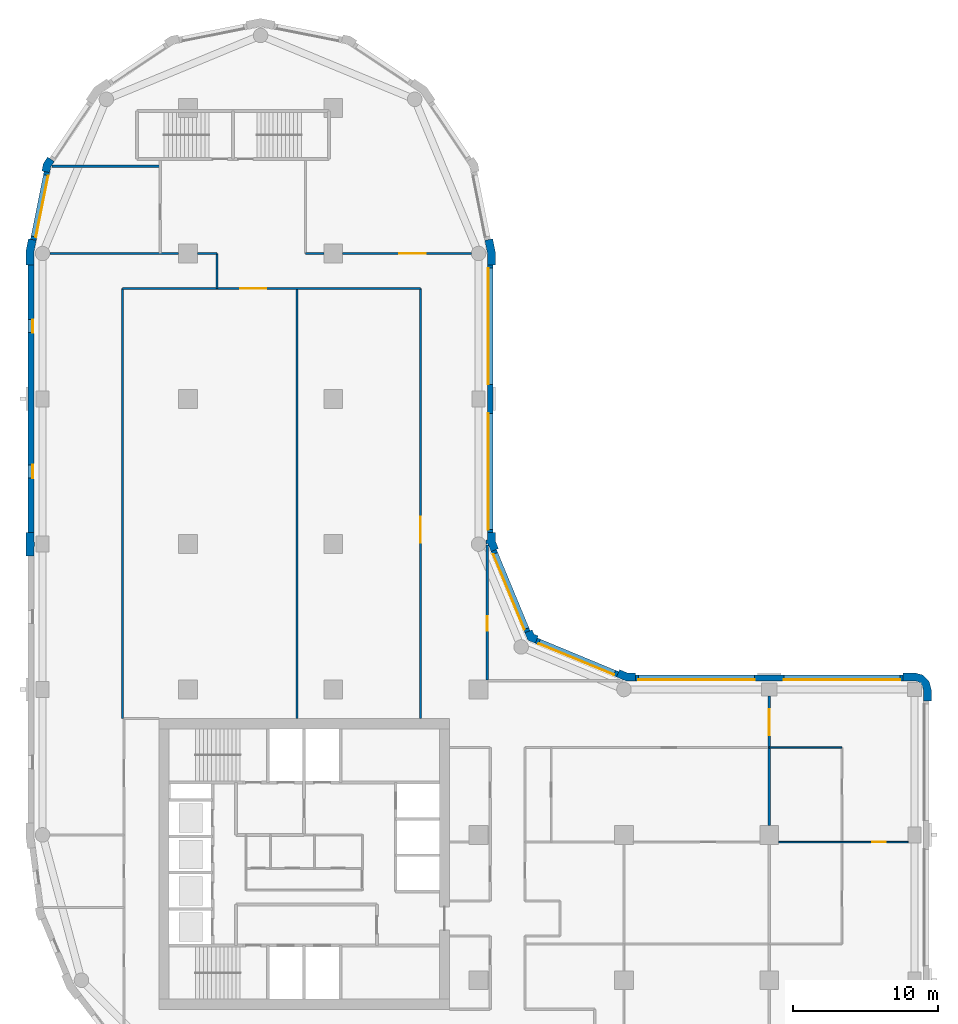
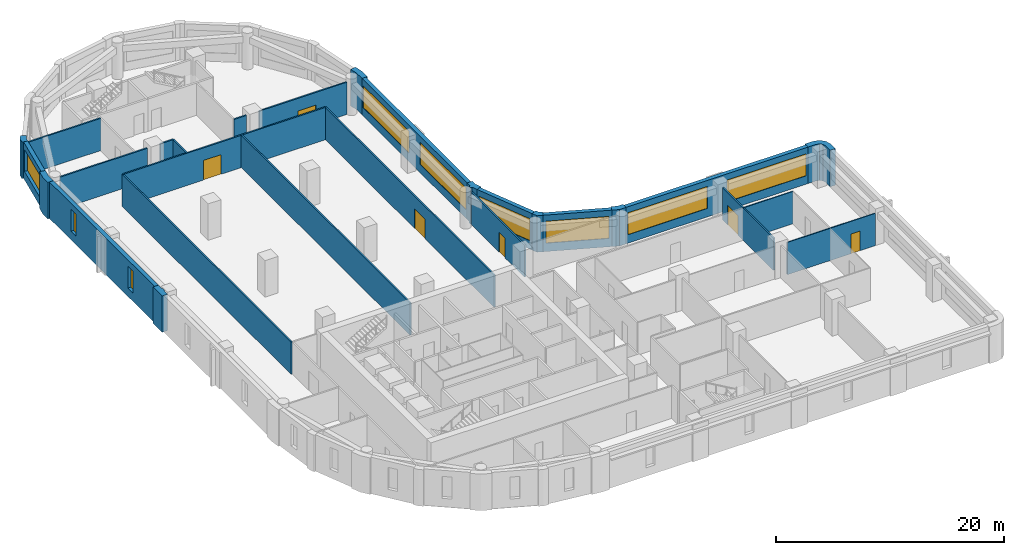
# One storey, part 5 of 9: 28 walls, 9 windows, 6 doors, 15 openings.
"""IFC4 building model written with IfcOpenShell, lengths in metres."""

from ifc_helpers import new_model, si_unit, direction, frame, frame_2d, origin, place, context, subcontext, project, spatial, polyline, rectangle, outline, extrude, material, layer, layer_set, type_object, element, fill, save


model = new_model("IFC4")

# Units and contexts
model_context = context("Model", 3, precision=1e-05, world=origin(), true_north=direction((0.0, 1.0)))
body_context = subcontext(model_context, "Body", "Model", "MODEL_VIEW")
ifc_project = project(units=[si_unit("LENGTHUNIT", "METRE"), si_unit("AREAUNIT", "SQUARE_METRE"), si_unit("VOLUMEUNIT", "CUBIC_METRE"), si_unit("PLANEANGLEUNIT", "RADIAN"), si_unit("MASSUNIT", "GRAM", prefix="KILO")], contexts=[model_context])

# Site, building, storey
site_placement = place(None, origin())
site = spatial("IfcSite", under=ifc_project, at=site_placement, CompositionType="ELEMENT")
building_placement = place(site_placement, origin())
building = spatial("IfcBuilding", under=site, at=building_placement, Name="Qaws Garden Tower", CompositionType="ELEMENT")
storey_placement = place(building_placement, frame((0.0, 0.0, 233.10009765625)))
storey = spatial("IfcBuildingStorey", under=building, at=storey_placement, Name="L57", CompositionType="ELEMENT", Elevation=233.10009765625)

# Wall
ifc_material_1 = material(Name="Buff clay facing brick masonry", Category="masonry")
ifc_layer_1 = layer(ifc_material_1, 0.550048828125)
ifc_layer_set_1 = layer_set([ifc_layer_1], Name="Buff clay facing brick masonry")
wall_type_1 = type_object("IfcWallType", Name="Buff brick corner pier 550 x 2400", PredefinedType="SOLIDWALL", material=ifc_layer_set_1)
placement = place(storey_placement, origin())
element("IfcWall", 1, at=placement, inside=storey, type_object=wall_type_1, Name="E-L57-pier-07", PredefinedType="SOLIDWALL", context=body_context, shape_type="SweptSolid", body=[
    extrude(outline(polyline([(61.0, 29.199951171875), (61.14990234375, 29.199951171875), (61.14990234375, 30.0), (60.995849609375, 30.574951171875), (60.574951171875, 30.995849609375), (60.0, 31.14990234375), (59.199951171875, 31.14990234375), (59.199951171875, 31.0), (59.199951171875, 30.60009765625), (60.0, 30.60009765625), (60.300048828125, 30.51953125), (60.51953125, 30.300048828125), (60.60009765625, 30.0), (60.60009765625, 29.199951171875), (61.0, 29.199951171875)])), origin(), (0.0, 0.0, 1.0), 3.89990234375),
])

# Wall, openings, windows
ifc_material_2 = material(Name="Buff clay facing brick masonry", Category="masonry")
ifc_layer_2 = layer(ifc_material_2, 0.39990234375)
ifc_layer_set_2 = layer_set([ifc_layer_2], Name="Buff clay facing brick masonry")
wall_type_2 = type_object("IfcWallType", Name="Buff brick infill wall 400", PredefinedType="SOLIDWALL", material=ifc_layer_set_2)
wall_2_placement = place(storey_placement, frame((59.199951171875, 30.800048828125, 0.0), z_axis=(0.0, 0.0, 1.0), x_axis=(-1.0, 0.0, 0.0)))
wall_2 = element("IfcWall", 2, at=wall_2_placement, inside=storey, type_object=wall_type_2, Name="E-L57-infill-07", PredefinedType="SOLIDWALL", context=body_context, shape_type="SweptSolid", body=[
    extrude(rectangle(XDim=18.39990234375, YDim=0.39990234375, at=frame_2d((9.199951171875, 0.0))), origin(), (0.0, 0.0, 1.0), 3.89990234375),
])
opening_1_placement = place(wall_2_placement, frame((0.199951171875, 0.0, 0.89990234375)))
opening_1 = element("IfcOpeningElement", 3, at=opening_1_placement, cuts=wall_2, Name="Opening W01", PredefinedType="OPENING", context=body_context, shape_type="SweptSolid", body=[
    extrude(rectangle(XDim=8.0, YDim=2.35009765625, at=frame_2d((4.0, 1.175048828125))), frame((0.0, 0.2099609375, 0.0), z_axis=(0.0, -1.0, 0.0), x_axis=(1.0, 0.0, 0.0)), (0.0, 0.0, 1.0), 0.419921875),
])
opening_2_placement = place(wall_2_placement, frame((10.199951171875, 0.0, 0.89990234375)))
opening_2 = element("IfcOpeningElement", 4, at=opening_2_placement, cuts=wall_2, Name="Opening W01", PredefinedType="OPENING", context=body_context, shape_type="SweptSolid", body=[
    extrude(rectangle(XDim=8.0, YDim=2.35009765625, at=frame_2d((4.0, 1.175048828125))), frame((0.0, 0.2099609375, 0.0), z_axis=(0.0, -1.0, 0.0), x_axis=(1.0, 0.0, 0.0)), (0.0, 0.0, 1.0), 0.419921875),
])
ifc_material_3 = material(Name="Aluminium framed window, clear glazing", Category="aluminium")
window_type_1 = type_object("IfcWindowType", Name="Ribbon window 8000 x 2350", PartitioningType="DOUBLE_PANEL_VERTICAL", PredefinedType="WINDOW", material=ifc_material_3)
window_1_placement = place(opening_1_placement, origin())
window_1 = element("IfcWindow", 5, at=window_1_placement, inside=storey, type_object=window_type_1, Name="E-L57-window-07-0", OverallHeight=2.35009765625, OverallWidth=8.0, PartitioningType="SINGLE_PANEL", PredefinedType="WINDOW", context=body_context, shape_type="SweptSolid", body=[
    extrude(rectangle(XDim=8.0, YDim=2.35009765625, at=frame_2d((4.0, 1.175048828125))), frame((0.0, 0.159912109375, 0.0), z_axis=(0.0, -1.0, 0.0), x_axis=(1.0, 0.0, 0.0)), (0.0, 0.0, 1.0), 0.06005859375),
])
fill(opening_1, window_1)
window_2_placement = place(opening_2_placement, origin())
window_2 = element("IfcWindow", 6, at=window_2_placement, inside=storey, type_object=window_type_1, Name="E-L57-window-08-0", OverallHeight=2.35009765625, OverallWidth=8.0, PartitioningType="SINGLE_PANEL", PredefinedType="WINDOW", context=body_context, shape_type="SweptSolid", body=[
    extrude(rectangle(XDim=8.0, YDim=2.35009765625, at=frame_2d((4.0, 1.175048828125))), frame((0.0, 0.159912109375, 0.0), z_axis=(0.0, -1.0, 0.0), x_axis=(1.0, 0.0, 0.0)), (0.0, 0.0, 1.0), 0.06005859375),
])
fill(opening_2, window_2)

# Wall, opening, window
wall_3_placement = place(storey_placement, frame((39.56689453125, 31.04541015625, 0.0), z_axis=(0.0, 0.0, 1.0), x_axis=(-0.923891000409, 0.382655745237, 0.0)))
wall_3 = element("IfcWall", 7, at=wall_3_placement, inside=storey, type_object=wall_type_2, Name="E-L57-infill-09", PredefinedType="SOLIDWALL", context=body_context, shape_type="SweptSolid", body=[
    extrude(rectangle(XDim=6.053466796875, YDim=0.39990234375, at=frame_2d((3.02685546875, 0.0))), origin(), (0.0, 0.0, 1.0), 3.89990234375),
])
opening_3_placement = place(wall_3_placement, frame((0.226806640625, 0.0, 0.89990234375)))
opening_3 = element("IfcOpeningElement", 8, at=opening_3_placement, cuts=wall_3, Name="Opening W04", PredefinedType="OPENING", context=body_context, shape_type="SweptSolid", body=[
    extrude(rectangle(XDim=5.60009765625, YDim=2.35009765625, at=frame_2d((2.800048828125, 1.175048828125))), frame((0.0, 0.2099609375, 0.0), z_axis=(0.0, -1.0, 0.0), x_axis=(1.0, 0.0, 0.0)), (0.0, 0.0, 1.0), 0.419921875),
])
ifc_material_4 = material(Name="Aluminium framed window, clear glazing", Category="aluminium")
window_type_2 = type_object("IfcWindowType", Name="Ribbon window 5600 x 2350", PartitioningType="DOUBLE_PANEL_VERTICAL", PredefinedType="WINDOW", material=ifc_material_4)
window_3_placement = place(opening_3_placement, origin())
window_3 = element("IfcWindow", 9, at=window_3_placement, inside=storey, type_object=window_type_2, Name="E-L57-window-09-0", OverallHeight=2.35009765625, OverallWidth=5.60009765625, PartitioningType="SINGLE_PANEL", PredefinedType="WINDOW", context=body_context, shape_type="SweptSolid", body=[
    extrude(rectangle(XDim=5.60009765625, YDim=2.35009765625, at=frame_2d((2.800048828125, 1.175048828125))), frame((0.0, 0.159912109375, 0.0), z_axis=(0.0, -1.0, 0.0), x_axis=(1.0, 0.0, 0.0)), (0.0, 0.0, 1.0), 0.06005859375),
])
fill(opening_3, window_3)

wall_4_placement = place(storey_placement, frame((33.36181640625, 33.97412109375, 0.0), z_axis=(0.0, 0.0, 1.0), x_axis=(-0.382655745237, 0.923891000409, 0.0)))
wall_4 = element("IfcWall", 10, at=wall_4_placement, inside=storey, type_object=wall_type_2, Name="E-L57-infill-10", PredefinedType="SOLIDWALL", context=body_context, shape_type="SweptSolid", body=[
    extrude(rectangle(XDim=6.053466796875, YDim=0.39990234375, at=frame_2d((3.02685546875, 0.0))), origin(), (0.0, 0.0, 1.0), 3.89990234375),
])
opening_4_placement = place(wall_4_placement, frame((0.226806640625, 0.0, 0.89990234375)))
opening_4 = element("IfcOpeningElement", 11, at=opening_4_placement, cuts=wall_4, Name="Opening W04", PredefinedType="OPENING", context=body_context, shape_type="SweptSolid", body=[
    extrude(rectangle(XDim=5.60009765625, YDim=2.35009765625, at=frame_2d((2.800048828125, 1.175048828125))), frame((0.0, 0.2099609375, 0.0), z_axis=(0.0, -1.0, 0.0), x_axis=(1.0, 0.0, 0.0)), (0.0, 0.0, 1.0), 0.419921875),
])
window_4_placement = place(opening_4_placement, origin())
window_4 = element("IfcWindow", 12, at=window_4_placement, inside=storey, type_object=window_type_2, Name="E-L57-window-10-0", OverallHeight=2.35009765625, OverallWidth=5.60009765625, PartitioningType="SINGLE_PANEL", PredefinedType="WINDOW", context=body_context, shape_type="SweptSolid", body=[
    extrude(rectangle(XDim=5.60009765625, YDim=2.35009765625, at=frame_2d((2.800048828125, 1.175048828125))), frame((0.0, 0.159912109375, 0.0), z_axis=(0.0, -1.0, 0.0), x_axis=(1.0, 0.0, 0.0)), (0.0, 0.0, 1.0), 0.06005859375),
])
fill(opening_4, window_4)

# Wall, openings, windows
wall_5_placement = place(storey_placement, frame((30.800048828125, 40.800048828125, 0.0), z_axis=(0.0, 0.0, 1.0), x_axis=(0.0, 1.0, 0.0)))
wall_5 = element("IfcWall", 13, at=wall_5_placement, inside=storey, type_object=wall_type_2, Name="E-L57-infill-11", PredefinedType="SOLIDWALL", context=body_context, shape_type="SweptSolid", body=[
    extrude(rectangle(XDim=18.39990234375, YDim=0.39990234375, at=frame_2d((9.199951171875, 0.0))), origin(), (0.0, 0.0, 1.0), 3.89990234375),
])
opening_5_placement = place(wall_5_placement, frame((0.199951171875, 0.0, 0.89990234375)))
opening_5 = element("IfcOpeningElement", 14, at=opening_5_placement, cuts=wall_5, Name="Opening W01", PredefinedType="OPENING", context=body_context, shape_type="SweptSolid", body=[
    extrude(rectangle(XDim=8.0, YDim=2.35009765625, at=frame_2d((4.0, 1.175048828125))), frame((0.0, 0.2099609375, 0.0), z_axis=(0.0, -1.0, 0.0), x_axis=(1.0, 0.0, 0.0)), (0.0, 0.0, 1.0), 0.419921875),
])
opening_6_placement = place(wall_5_placement, frame((10.199951171875, 0.0, 0.89990234375)))
opening_6 = element("IfcOpeningElement", 15, at=opening_6_placement, cuts=wall_5, Name="Opening W01", PredefinedType="OPENING", context=body_context, shape_type="SweptSolid", body=[
    extrude(rectangle(XDim=8.0, YDim=2.35009765625, at=frame_2d((4.0, 1.175048828125))), frame((0.0, 0.2099609375, 0.0), z_axis=(0.0, -1.0, 0.0), x_axis=(1.0, 0.0, 0.0)), (0.0, 0.0, 1.0), 0.419921875),
])
window_5_placement = place(opening_5_placement, origin())
window_5 = element("IfcWindow", 16, at=window_5_placement, inside=storey, type_object=window_type_1, Name="E-L57-window-11-0", OverallHeight=2.35009765625, OverallWidth=8.0, PartitioningType="SINGLE_PANEL", PredefinedType="WINDOW", context=body_context, shape_type="SweptSolid", body=[
    extrude(rectangle(XDim=8.0, YDim=2.35009765625, at=frame_2d((4.0, 1.175048828125))), frame((0.0, 0.159912109375, 0.0), z_axis=(0.0, -1.0, 0.0), x_axis=(1.0, 0.0, 0.0)), (0.0, 0.0, 1.0), 0.06005859375),
])
fill(opening_5, window_5)
window_6_placement = place(opening_6_placement, origin())
window_6 = element("IfcWindow", 17, at=window_6_placement, inside=storey, type_object=window_type_1, Name="E-L57-window-12-0", OverallHeight=2.35009765625, OverallWidth=8.0, PartitioningType="SINGLE_PANEL", PredefinedType="WINDOW", context=body_context, shape_type="SweptSolid", body=[
    extrude(rectangle(XDim=8.0, YDim=2.35009765625, at=frame_2d((4.0, 1.175048828125))), frame((0.0, 0.159912109375, 0.0), z_axis=(0.0, -1.0, 0.0), x_axis=(1.0, 0.0, 0.0)), (0.0, 0.0, 1.0), 0.06005859375),
])
fill(opening_6, window_6)

# Wall, opening, window
wall_6_placement = place(storey_placement, frame((0.298583984375, 65.60205078125, 0.0), z_axis=(0.0, 0.0, 1.0), x_axis=(-0.195098533057, -0.98078364709, 0.0)))
wall_6 = element("IfcWall", 18, at=wall_6_placement, inside=storey, type_object=wall_type_2, Name="E-L57-infill-20", PredefinedType="SOLIDWALL", context=body_context, shape_type="SweptSolid", body=[
    extrude(rectangle(XDim=4.752685546875, YDim=0.39990234375, at=frame_2d((2.37646484375, 0.0))), origin(), (0.0, 0.0, 1.0), 3.89990234375),
])
opening_7_placement = place(wall_6_placement, frame((0.226318359375, 0.0, 0.89990234375)))
opening_7 = element("IfcOpeningElement", 19, at=opening_7_placement, cuts=wall_6, Name="Opening W06", PredefinedType="OPENING", context=body_context, shape_type="SweptSolid", body=[
    extrude(rectangle(XDim=4.300048828125, YDim=2.35009765625, at=frame_2d((2.14990234375, 1.175048828125))), frame((0.0, 0.2099609375, 0.0), z_axis=(0.0, -1.0, 0.0), x_axis=(1.0, 0.0, 0.0)), (0.0, 0.0, 1.0), 0.419921875),
])
ifc_material_5 = material(Name="Aluminium framed window, clear glazing", Category="aluminium")
window_type_3 = type_object("IfcWindowType", Name="Ribbon window 4300 x 2350", PartitioningType="DOUBLE_PANEL_VERTICAL", PredefinedType="WINDOW", material=ifc_material_5)
window_7_placement = place(opening_7_placement, origin())
window_7 = element("IfcWindow", 20, at=window_7_placement, inside=storey, type_object=window_type_3, Name="E-L57-window-20-0", OverallHeight=2.35009765625, OverallWidth=4.300048828125, PartitioningType="SINGLE_PANEL", PredefinedType="WINDOW", context=body_context, shape_type="SweptSolid", body=[
    extrude(rectangle(XDim=4.300048828125, YDim=2.35009765625, at=frame_2d((2.14990234375, 1.175048828125))), frame((0.0, 0.159912109375, 0.0), z_axis=(0.0, -1.0, 0.0), x_axis=(1.0, 0.0, 0.0)), (0.0, 0.0, 1.0), 0.06005859375),
])
fill(opening_7, window_7)

# Wall, openings, windows
wall_7_placement = place(storey_placement, frame((-0.800048828125, 59.199951171875, 0.0), z_axis=(0.0, 0.0, 1.0), x_axis=(0.0, -1.0, 0.0)))
wall_7 = element("IfcWall", 21, at=wall_7_placement, inside=storey, type_object=wall_type_2, Name="E-L57-infill-21", PredefinedType="SOLIDWALL", context=body_context, shape_type="SweptSolid", body=[
    extrude(rectangle(XDim=18.39990234375, YDim=0.39990234375, at=frame_2d((9.199951171875, 0.0))), origin(), (0.0, 0.0, 1.0), 3.89990234375),
])
opening_8_placement = place(wall_7_placement, frame((3.75, 0.0, 0.89990234375)))
opening_8 = element("IfcOpeningElement", 22, at=opening_8_placement, cuts=wall_7, Name="Opening W09", PredefinedType="OPENING", context=body_context, shape_type="SweptSolid", body=[
    extrude(rectangle(XDim=0.89990234375, YDim=2.35009765625, at=frame_2d((0.449951171875, 1.175048828125))), frame((0.0, 0.2099609375, 0.0), z_axis=(0.0, -1.0, 0.0), x_axis=(1.0, 0.0, 0.0)), (0.0, 0.0, 1.0), 0.419921875),
])
opening_9_placement = place(wall_7_placement, frame((13.75, 0.0, 0.89990234375)))
opening_9 = element("IfcOpeningElement", 23, at=opening_9_placement, cuts=wall_7, Name="Opening W09", PredefinedType="OPENING", context=body_context, shape_type="SweptSolid", body=[
    extrude(rectangle(XDim=0.89990234375, YDim=2.35009765625, at=frame_2d((0.449951171875, 1.175048828125))), frame((0.0, 0.2099609375, 0.0), z_axis=(0.0, -1.0, 0.0), x_axis=(1.0, 0.0, 0.0)), (0.0, 0.0, 1.0), 0.419921875),
])
ifc_material_6 = material(Name="Aluminium framed window, clear glazing", Category="aluminium")
window_type_4 = type_object("IfcWindowType", Name="Slit window 900 x 2350", PartitioningType="SINGLE_PANEL", PredefinedType="WINDOW", material=ifc_material_6)
window_8_placement = place(opening_8_placement, origin())
window_8 = element("IfcWindow", 24, at=window_8_placement, inside=storey, type_object=window_type_4, Name="E-L57-window-21-0", OverallHeight=2.35009765625, OverallWidth=0.89990234375, PartitioningType="SINGLE_PANEL", PredefinedType="WINDOW", context=body_context, shape_type="SweptSolid", body=[
    extrude(rectangle(XDim=0.89990234375, YDim=2.35009765625, at=frame_2d((0.449951171875, 1.175048828125))), frame((0.0, 0.159912109375, 0.0), z_axis=(0.0, -1.0, 0.0), x_axis=(1.0, 0.0, 0.0)), (0.0, 0.0, 1.0), 0.06005859375),
])
fill(opening_8, window_8)
window_9_placement = place(opening_9_placement, origin())
window_9 = element("IfcWindow", 25, at=window_9_placement, inside=storey, type_object=window_type_4, Name="E-L57-window-22-0", OverallHeight=2.35009765625, OverallWidth=0.89990234375, PartitioningType="SINGLE_PANEL", PredefinedType="WINDOW", context=body_context, shape_type="SweptSolid", body=[
    extrude(rectangle(XDim=0.89990234375, YDim=2.35009765625, at=frame_2d((0.449951171875, 1.175048828125))), frame((0.0, 0.159912109375, 0.0), z_axis=(0.0, -1.0, 0.0), x_axis=(1.0, 0.0, 0.0)), (0.0, 0.0, 1.0), 0.06005859375),
])
fill(opening_9, window_9)

# Walls
ifc_material_7 = material(Name="Buff clay facing brick masonry", Category="masonry")
ifc_layer_3 = layer(ifc_material_7, 0.550048828125)
ifc_layer_set_3 = layer_set([ifc_layer_3], Name="Buff clay facing brick masonry")
wall_type_3 = type_object("IfcWallType", Name="Buff brick kink pier 550 x 600", PredefinedType="SOLIDWALL", material=ifc_layer_set_3)
element("IfcWall", 26, at=placement, inside=storey, type_object=wall_type_3, Name="E-L57-pier-20", PredefinedType="SOLIDWALL", context=body_context, shape_type="SweptSolid", body=[
    extrude(outline(polyline([(0.47705078125, 66.545166015625), (0.352294921875, 66.628662109375), (0.05859375, 66.18896484375), (-0.044677734375, 65.67041015625), (0.1025390625, 65.64111328125), (0.494873046875, 65.56298828125), (0.57666015625, 65.974365234375), (0.8095703125, 66.322998046875), (0.47705078125, 66.545166015625)])), origin(), (0.0, 0.0, 1.0), 3.89990234375),
])
ifc_material_8 = material(Name="Buff clay facing brick masonry", Category="masonry")
ifc_layer_4 = layer(ifc_material_8, 0.550048828125)
ifc_layer_set_4 = layer_set([ifc_layer_4], Name="Buff clay facing brick masonry")
wall_type_4 = type_object("IfcWallType", Name="Buff brick pier 550 x 1600", PredefinedType="SOLIDWALL", material=ifc_layer_set_4)
element("IfcWall", 27, at=placement, inside=storey, type_object=wall_type_4, Name="E-L57-pier-09", PredefinedType="SOLIDWALL", context=body_context, shape_type="SweptSolid", body=[
    extrude(outline(polyline([(40.800048828125, 31.0), (40.800048828125, 31.14990234375), (40.228759765625, 31.14990234375), (39.700927734375, 31.36865234375), (39.6435546875, 31.22998046875), (39.490478515625, 30.860595703125), (40.119384765625, 30.60009765625), (40.800048828125, 30.60009765625), (40.800048828125, 31.0)])), origin(), (0.0, 0.0, 1.0), 3.89990234375),
])
element("IfcWall", 28, at=placement, inside=storey, type_object=wall_type_4, Name="E-L57-pier-10", PredefinedType="SOLIDWALL", context=body_context, shape_type="SweptSolid", body=[
    extrude(outline(polyline([(34.05078125, 33.546630859375), (34.108154296875, 33.685302734375), (33.80908203125, 33.80908203125), (33.685302734375, 34.108154296875), (33.546630859375, 34.05078125), (33.177001953125, 33.897705078125), (33.38818359375, 33.38818359375), (33.897705078125, 33.177001953125), (34.05078125, 33.546630859375)])), origin(), (0.0, 0.0, 1.0), 3.89990234375),
])
element("IfcWall", 29, at=placement, inside=storey, type_object=wall_type_4, Name="E-L57-pier-11", PredefinedType="SOLIDWALL", context=body_context, shape_type="SweptSolid", body=[
    extrude(outline(polyline([(30.6201171875, 39.995361328125), (30.6201171875, 40.071044921875), (30.860595703125, 39.490478515625), (31.22998046875, 39.6435546875), (31.36865234375, 39.700927734375), (31.14990234375, 40.228759765625), (31.14990234375, 40.800048828125), (31.0, 40.800048828125), (30.60009765625, 40.800048828125), (30.60009765625, 40.29541015625), (30.5, 40.29541015625), (30.5, 39.995361328125), (30.6201171875, 39.995361328125)])), origin(), (0.0, 0.0, 1.0), 3.89990234375),
])
element("IfcWall", 30, at=placement, inside=storey, type_object=wall_type_4, Name="E-L57-pier-13", PredefinedType="SOLIDWALL", context=body_context, shape_type="SweptSolid", body=[
    extrude(outline(polyline([(31.0, 59.199951171875), (31.14990234375, 59.199951171875), (31.14990234375, 60.11328125), (30.971923828125, 61.009033203125), (30.82470703125, 60.979736328125), (30.432373046875, 60.901611328125), (30.60009765625, 60.05908203125), (30.60009765625, 59.199951171875), (31.0, 59.199951171875)])), origin(), (0.0, 0.0, 1.0), 3.89990234375),
])
element("IfcWall", 31, at=placement, inside=storey, type_object=wall_type_4, Name="E-L57-pier-21", PredefinedType="SOLIDWALL", context=body_context, shape_type="SweptSolid", body=[
    extrude(outline(polyline([(-0.82470703125, 60.979736328125), (-0.971923828125, 61.009033203125), (-1.14990234375, 60.11328125), (-1.14990234375, 59.199951171875), (-1.0, 59.199951171875), (-0.60009765625, 59.199951171875), (-0.60009765625, 60.05908203125), (-0.432373046875, 60.901611328125), (-0.82470703125, 60.979736328125)])), origin(), (0.0, 0.0, 1.0), 3.89990234375),
])
element("IfcWall", 32, at=placement, inside=storey, type_object=wall_type_4, Name="E-L57-pier-23", PredefinedType="SOLIDWALL", context=body_context, shape_type="SweptSolid", body=[
    extrude(outline(polyline([(-0.60009765625, 39.199951171875), (-0.60009765625, 39.85009765625), (-0.550048828125, 39.85009765625), (-0.550048828125, 40.14990234375), (-0.60009765625, 40.14990234375), (-0.60009765625, 40.800048828125), (-1.0, 40.800048828125), (-1.14990234375, 40.800048828125), (-1.14990234375, 40.0), (-1.14990234375, 39.199951171875), (-1.0, 39.199951171875), (-0.60009765625, 39.199951171875)])), origin(), (0.0, 0.0, 1.0), 3.89990234375),
])

# Wall, opening, door
ifc_material_9 = material(Name="Gypsum board partition")
ifc_layer_5 = layer(ifc_material_9, 0.10009765625)
ifc_layer_set_5 = layer_set([ifc_layer_5], Name="Gypsum board partition")
wall_type_5 = type_object("IfcWallType", Name="PARTITION 100", PredefinedType="PARTITIONING", material=ifc_layer_set_5)
wall_15_placement = place(storey_placement, frame((50.64990234375, 19.5, 0.0), z_axis=(0.0, 0.0, 1.0), x_axis=(1.0, 0.0, 0.0)))
wall_15 = element("IfcWall", 33, at=wall_15_placement, inside=storey, type_object=wall_type_5, Name="O-L57-wall-007", PredefinedType="PARTITIONING", context=body_context, shape_type="SweptSolid", body=[
    extrude(rectangle(XDim=8.900146484375, YDim=0.10009765625, at=frame_2d((4.4501953125, 0.0))), origin(), (0.0, 0.0, 1.0), 3.449951171875),
])
opening_10_placement = place(wall_15_placement, frame((6.449951171875, 0.0, 0.0)))
opening_10 = element("IfcOpeningElement", 34, at=opening_10_placement, cuts=wall_15, Name="Opening B920", PredefinedType="OPENING", context=body_context, shape_type="SweptSolid", body=[
    extrude(rectangle(XDim=0.89990234375, YDim=2.10009765625, at=frame_2d((0.449951171875, 1.050048828125))), frame((0.0, 0.06005859375, 0.0), z_axis=(0.0, -1.0, 0.0), x_axis=(1.0, 0.0, 0.0)), (0.0, 0.0, 1.0), 0.1201171875),
])
ifc_material_10 = material(Name="Timber door leaf", Category="wood")
door_type_1 = type_object("IfcDoorType", Name="OFFICE DOOR 900 X 2100", OperationType="SINGLE_SWING_LEFT", PredefinedType="DOOR", material=ifc_material_10)
door_1_placement = place(opening_10_placement, origin())
door_1 = element("IfcDoor", 35, at=door_1_placement, inside=storey, type_object=door_type_1, Name="O-L57-door-020", OperationType="SINGLE_SWING_LEFT", OverallHeight=2.10009765625, OverallWidth=0.89990234375, PredefinedType="DOOR", context=body_context, shape_type="SweptSolid", body=[
    extrude(rectangle(XDim=0.89990234375, YDim=2.10009765625, at=frame_2d((0.449951171875, 1.050048828125))), frame((0.0, 0.02490234375, 0.0), z_axis=(0.0, -1.0, 0.0), x_axis=(1.0, 0.0, 0.0)), (0.0, 0.0, 1.0), 0.050048828125),
])
fill(opening_10, door_1)

# Walls
wall_16_placement = place(storey_placement, frame((50.0, 26.0, 0.0), z_axis=(0.0, 0.0, 1.0), x_axis=(1.0, 0.0, 0.0)))
element("IfcWall", 36, at=wall_16_placement, inside=storey, type_object=wall_type_5, Name="O-L57-wall-008", PredefinedType="PARTITIONING", context=body_context, shape_type="SweptSolid", body=[
    extrude(rectangle(XDim=5.0, YDim=0.10009765625, at=frame_2d((2.5, 0.0))), origin(), (0.0, 0.0, 1.0), 3.449951171875),
])
ifc_material_11 = material(Name="Gypsum board partition")
ifc_layer_6 = layer(ifc_material_11, 0.14990234375)
ifc_layer_set_6 = layer_set([ifc_layer_6], Name="Gypsum board partition")
wall_type_6 = type_object("IfcWallType", Name="PARTITION 150 EI 60", PredefinedType="PARTITIONING", material=ifc_layer_set_6)
wall_17_placement = place(storey_placement, frame((5.5, 28.0, 0.0), z_axis=(0.0, 0.0, 1.0), x_axis=(0.0, 1.0, 0.0)))
element("IfcWall", 37, at=wall_17_placement, inside=storey, type_object=wall_type_6, Name="O-L57-wall-009", PredefinedType="PARTITIONING", context=body_context, shape_type="SweptSolid", body=[
    extrude(rectangle(XDim=29.60009765625, YDim=0.14990234375, at=frame_2d((14.800048828125, 0.0))), origin(), (0.0, 0.0, 1.0), 3.449951171875),
])
wall_18_placement = place(storey_placement, frame((12.0, 57.60009765625, 0.0), z_axis=(0.0, 0.0, 1.0), x_axis=(0.0, 1.0, 0.0)))
element("IfcWall", 38, at=wall_18_placement, inside=storey, type_object=wall_type_6, Name="O-L57-wall-012", PredefinedType="PARTITIONING", context=body_context, shape_type="SweptSolid", body=[
    extrude(rectangle(XDim=2.39990234375, YDim=0.14990234375, at=frame_2d((1.199951171875, 0.0))), origin(), (0.0, 0.0, 1.0), 3.449951171875),
])
wall_19_placement = place(storey_placement, frame((17.5, 28.0, 0.0), z_axis=(0.0, 0.0, 1.0), x_axis=(0.0, 1.0, 0.0)))
element("IfcWall", 39, at=wall_19_placement, inside=storey, type_object=wall_type_6, Name="O-L57-wall-014", PredefinedType="PARTITIONING", context=body_context, shape_type="SweptSolid", body=[
    extrude(rectangle(XDim=29.60009765625, YDim=0.14990234375, at=frame_2d((14.800048828125, 0.0))), origin(), (0.0, 0.0, 1.0), 3.449951171875),
])

# Wall, opening, door
wall_20_placement = place(storey_placement, frame((26.0, 28.0, 0.0), z_axis=(0.0, 0.0, 1.0), x_axis=(0.0, 1.0, 0.0)))
wall_20 = element("IfcWall", 40, at=wall_20_placement, inside=storey, type_object=wall_type_6, Name="O-L57-wall-017", PredefinedType="PARTITIONING", context=body_context, shape_type="SweptSolid", body=[
    extrude(rectangle(XDim=29.60009765625, YDim=0.14990234375, at=frame_2d((14.800048828125, 0.0))), origin(), (0.0, 0.0, 1.0), 3.449951171875),
])
opening_11_placement = place(wall_20_placement, frame((12.10009765625, 0.0, 0.0)))
opening_11 = element("IfcOpeningElement", 41, at=opening_11_placement, cuts=wall_20, Name="Opening B905", PredefinedType="OPENING", context=body_context, shape_type="SweptSolid", body=[
    extrude(rectangle(XDim=1.800048828125, YDim=2.10009765625, at=frame_2d((0.89990234375, 1.050048828125))), frame((0.0, 0.0849609375, 0.0), z_axis=(0.0, -1.0, 0.0), x_axis=(1.0, 0.0, 0.0)), (0.0, 0.0, 1.0), 0.169921875),
])
ifc_material_12 = material(Name="Timber door leaf", Category="wood")
door_type_2 = type_object("IfcDoorType", Name="DOUBLE DOOR 1800 X 2100", OperationType="DOUBLE_DOOR_SINGLE_SWING", PredefinedType="DOOR", material=ifc_material_12)
door_2_placement = place(opening_11_placement, origin())
door_2 = element("IfcDoor", 42, at=door_2_placement, inside=storey, type_object=door_type_2, Name="O-L57-door-005", OperationType="DOUBLE_DOOR_SINGLE_SWING", OverallHeight=2.10009765625, OverallWidth=1.800048828125, PredefinedType="DOOR", context=body_context, shape_type="SweptSolid", body=[
    extrude(rectangle(XDim=1.800048828125, YDim=2.10009765625, at=frame_2d((0.89990234375, 1.050048828125))), frame((0.0, 0.02490234375, 0.0), z_axis=(0.0, -1.0, 0.0), x_axis=(1.0, 0.0, 0.0)), (0.0, 0.0, 1.0), 0.050048828125),
])
fill(opening_11, door_2)

wall_21_placement = place(storey_placement, frame((30.60009765625, 30.64990234375, 0.0), z_axis=(0.0, 0.0, 1.0), x_axis=(0.0, 1.0, 0.0)))
wall_21 = element("IfcWall", 43, at=wall_21_placement, inside=storey, type_object=wall_type_6, Name="O-L57-wall-018", PredefinedType="PARTITIONING", context=body_context, shape_type="SweptSolid", body=[
    extrude(rectangle(XDim=9.288330078125, YDim=0.14990234375, at=frame_2d((4.64404296875, 0.0))), origin(), (0.0, 0.0, 1.0), 3.449951171875),
])
opening_12_placement = place(wall_21_placement, frame((3.39990234375, 0.0, 0.0)))
opening_12 = element("IfcOpeningElement", 44, at=opening_12_placement, cuts=wall_21, Name="Opening B912", PredefinedType="OPENING", context=body_context, shape_type="SweptSolid", body=[
    extrude(rectangle(XDim=1.0, YDim=2.10009765625, at=frame_2d((0.5, 1.050048828125))), frame((0.0, 0.0849609375, 0.0), z_axis=(0.0, -1.0, 0.0), x_axis=(1.0, 0.0, 0.0)), (0.0, 0.0, 1.0), 0.169921875),
])
ifc_material_13 = material(Name="Timber door leaf", Category="wood")
door_type_3 = type_object("IfcDoorType", Name="TENANCY ENTRANCE DOOR 1000 X 2100", OperationType="SINGLE_SWING_LEFT", PredefinedType="DOOR", material=ifc_material_13)
door_3_placement = place(opening_12_placement, frame((1.0, 0.0, 0.0), z_axis=(0.0, 0.0, 1.0), x_axis=(-1.0, 0.0, 0.0)))
door_3 = element("IfcDoor", 45, at=door_3_placement, inside=storey, type_object=door_type_3, Name="O-L57-door-012", OperationType="SINGLE_SWING_LEFT", OverallHeight=2.10009765625, OverallWidth=1.0, PredefinedType="DOOR", context=body_context, shape_type="SweptSolid", body=[
    extrude(rectangle(XDim=1.0, YDim=2.10009765625, at=frame_2d((0.5, 1.050048828125))), frame((0.0, 0.02490234375, 0.0), z_axis=(0.0, -1.0, 0.0), x_axis=(1.0, 0.0, 0.0)), (0.0, 0.0, 1.0), 0.050048828125),
])
fill(opening_12, door_3)

wall_22_placement = place(storey_placement, frame((50.0, 20.64990234375, 0.0), z_axis=(0.0, 0.0, 1.0), x_axis=(0.0, 1.0, 0.0)))
wall_22 = element("IfcWall", 46, at=wall_22_placement, inside=storey, type_object=wall_type_6, Name="O-L57-wall-029", PredefinedType="PARTITIONING", context=body_context, shape_type="SweptSolid", body=[
    extrude(rectangle(XDim=8.900146484375, YDim=0.14990234375, at=frame_2d((4.4501953125, 0.0))), origin(), (0.0, 0.0, 1.0), 3.449951171875),
])
opening_13_placement = place(wall_22_placement, frame((6.199951171875, 0.0, 0.0)))
opening_13 = element("IfcOpeningElement", 47, at=opening_13_placement, cuts=wall_22, Name="Opening B911", PredefinedType="OPENING", context=body_context, shape_type="SweptSolid", body=[
    extrude(rectangle(XDim=1.800048828125, YDim=2.10009765625, at=frame_2d((0.89990234375, 1.050048828125))), frame((0.0, 0.0849609375, 0.0), z_axis=(0.0, -1.0, 0.0), x_axis=(1.0, 0.0, 0.0)), (0.0, 0.0, 1.0), 0.169921875),
])
door_4_placement = place(opening_13_placement, frame((1.800048828125, 0.0, 0.0), z_axis=(0.0, 0.0, 1.0), x_axis=(-1.0, 0.0, 0.0)))
door_4 = element("IfcDoor", 48, at=door_4_placement, inside=storey, type_object=door_type_2, Name="O-L57-door-011", OperationType="DOUBLE_DOOR_SINGLE_SWING", OverallHeight=2.10009765625, OverallWidth=1.800048828125, PredefinedType="DOOR", context=body_context, shape_type="SweptSolid", body=[
    extrude(rectangle(XDim=1.800048828125, YDim=2.10009765625, at=frame_2d((0.89990234375, 1.050048828125))), frame((0.0, 0.02490234375, 0.0), z_axis=(0.0, -1.0, 0.0), x_axis=(1.0, 0.0, 0.0)), (0.0, 0.0, 1.0), 0.050048828125),
])
fill(opening_13, door_4)

wall_23_placement = place(storey_placement, frame((5.5, 57.60009765625, 0.0), z_axis=(0.0, 0.0, 1.0), x_axis=(1.0, 0.0, 0.0)))
wall_23 = element("IfcWall", 49, at=wall_23_placement, inside=storey, type_object=wall_type_6, Name="O-L57-wall-046", PredefinedType="PARTITIONING", context=body_context, shape_type="SweptSolid", body=[
    extrude(rectangle(XDim=20.5, YDim=0.14990234375, at=frame_2d((10.25, 0.0))), origin(), (0.0, 0.0, 1.0), 3.449951171875),
])
opening_14_placement = place(wall_23_placement, frame((8.10009765625, 0.0, 0.0)))
opening_14 = element("IfcOpeningElement", 50, at=opening_14_placement, cuts=wall_23, Name="Opening B906", PredefinedType="OPENING", context=body_context, shape_type="SweptSolid", body=[
    extrude(rectangle(XDim=1.800048828125, YDim=2.10009765625, at=frame_2d((0.89990234375, 1.050048828125))), frame((0.0, 0.0849609375, 0.0), z_axis=(0.0, -1.0, 0.0), x_axis=(1.0, 0.0, 0.0)), (0.0, 0.0, 1.0), 0.169921875),
])
door_5_placement = place(opening_14_placement, frame((1.800048828125, 0.0, 0.0), z_axis=(0.0, 0.0, 1.0), x_axis=(-1.0, 0.0, 0.0)))
door_5 = element("IfcDoor", 51, at=door_5_placement, inside=storey, type_object=door_type_2, Name="O-L57-door-006", OperationType="DOUBLE_DOOR_SINGLE_SWING", OverallHeight=2.10009765625, OverallWidth=1.800048828125, PredefinedType="DOOR", context=body_context, shape_type="SweptSolid", body=[
    extrude(rectangle(XDim=1.800048828125, YDim=2.10009765625, at=frame_2d((0.89990234375, 1.050048828125))), frame((0.0, 0.02490234375, 0.0), z_axis=(0.0, -1.0, 0.0), x_axis=(1.0, 0.0, 0.0)), (0.0, 0.0, 1.0), 0.050048828125),
])
fill(opening_14, door_5)

# Walls
wall_24_placement = place(storey_placement, frame((0.5, 60.0, 0.0), z_axis=(0.0, 0.0, 1.0), x_axis=(1.0, 0.0, 0.0)))
element("IfcWall", 52, at=wall_24_placement, inside=storey, type_object=wall_type_6, Name="O-L57-wall-047", PredefinedType="PARTITIONING", context=body_context, shape_type="SweptSolid", body=[
    extrude(rectangle(XDim=8.85009765625, YDim=0.14990234375, at=frame_2d((4.425048828125, 0.0))), origin(), (0.0, 0.0, 1.0), 3.449951171875),
])
wall_25_placement = place(storey_placement, frame((10.64990234375, 60.0, 0.0), z_axis=(0.0, 0.0, 1.0), x_axis=(1.0, 0.0, 0.0)))
element("IfcWall", 53, at=wall_25_placement, inside=storey, type_object=wall_type_6, Name="O-L57-wall-048", PredefinedType="PARTITIONING", context=body_context, shape_type="SweptSolid", body=[
    extrude(rectangle(XDim=1.35009765625, YDim=0.14990234375, at=frame_2d((0.675048828125, 0.0))), origin(), (0.0, 0.0, 1.0), 3.449951171875),
])
wall_26_placement = place(storey_placement, frame((18.10009765625, 60.0, 0.0), z_axis=(0.0, 0.0, 1.0), x_axis=(1.0, 0.0, 0.0)))
element("IfcWall", 54, at=wall_26_placement, inside=storey, type_object=wall_type_6, Name="O-L57-wall-049", PredefinedType="PARTITIONING", context=body_context, shape_type="SweptSolid", body=[
    extrude(rectangle(XDim=1.25, YDim=0.14990234375, at=frame_2d((0.625, 0.0))), origin(), (0.0, 0.0, 1.0), 3.449951171875),
])

# Wall, opening, door
wall_27_placement = place(storey_placement, frame((20.64990234375, 60.0, 0.0), z_axis=(0.0, 0.0, 1.0), x_axis=(1.0, 0.0, 0.0)))
wall_27 = element("IfcWall", 55, at=wall_27_placement, inside=storey, type_object=wall_type_6, Name="O-L57-wall-050", PredefinedType="PARTITIONING", context=body_context, shape_type="SweptSolid", body=[
    extrude(rectangle(XDim=8.85009765625, YDim=0.14990234375, at=frame_2d((4.425048828125, 0.0))), origin(), (0.0, 0.0, 1.0), 3.449951171875),
])
opening_15_placement = place(wall_27_placement, frame((3.89990234375, 0.0, 0.0)))
opening_15 = element("IfcOpeningElement", 56, at=opening_15_placement, cuts=wall_27, Name="Opening B910", PredefinedType="OPENING", context=body_context, shape_type="SweptSolid", body=[
    extrude(rectangle(XDim=1.800048828125, YDim=2.10009765625, at=frame_2d((0.89990234375, 1.050048828125))), frame((0.0, 0.0849609375, 0.0), z_axis=(0.0, -1.0, 0.0), x_axis=(1.0, 0.0, 0.0)), (0.0, 0.0, 1.0), 0.169921875),
])
door_6_placement = place(opening_15_placement, origin())
door_6 = element("IfcDoor", 57, at=door_6_placement, inside=storey, type_object=door_type_2, Name="O-L57-door-010", OperationType="DOUBLE_DOOR_SINGLE_SWING", OverallHeight=2.10009765625, OverallWidth=1.800048828125, PredefinedType="DOOR", context=body_context, shape_type="SweptSolid", body=[
    extrude(rectangle(XDim=1.800048828125, YDim=2.10009765625, at=frame_2d((0.89990234375, 1.050048828125))), frame((0.0, 0.02490234375, 0.0), z_axis=(0.0, -1.0, 0.0), x_axis=(1.0, 0.0, 0.0)), (0.0, 0.0, 1.0), 0.050048828125),
])
fill(opening_15, door_6)

# Wall
wall_28_placement = place(storey_placement, frame((0.643798828125, 66.0, 0.0), z_axis=(0.0, 0.0, 1.0), x_axis=(1.0, 0.0, 0.0)))
element("IfcWall", 58, at=wall_28_placement, inside=storey, type_object=wall_type_6, Name="O-L57-wall-051", PredefinedType="PARTITIONING", context=body_context, shape_type="SweptSolid", body=[
    extrude(rectangle(XDim=7.456298828125, YDim=0.14990234375, at=frame_2d((3.72802734375, 0.0))), origin(), (0.0, 0.0, 1.0), 3.449951171875),
])

save(model, "model.ifc")
